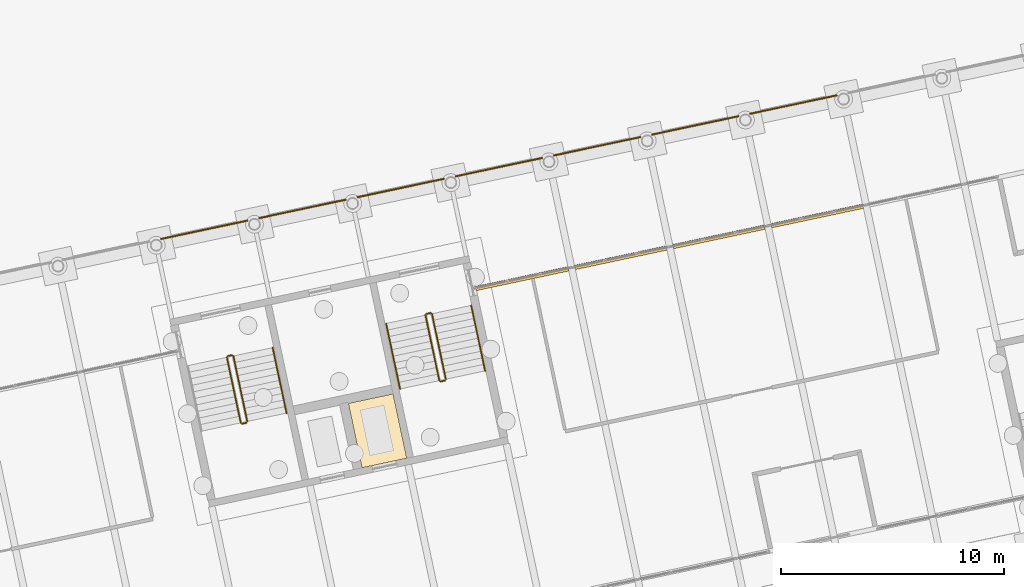
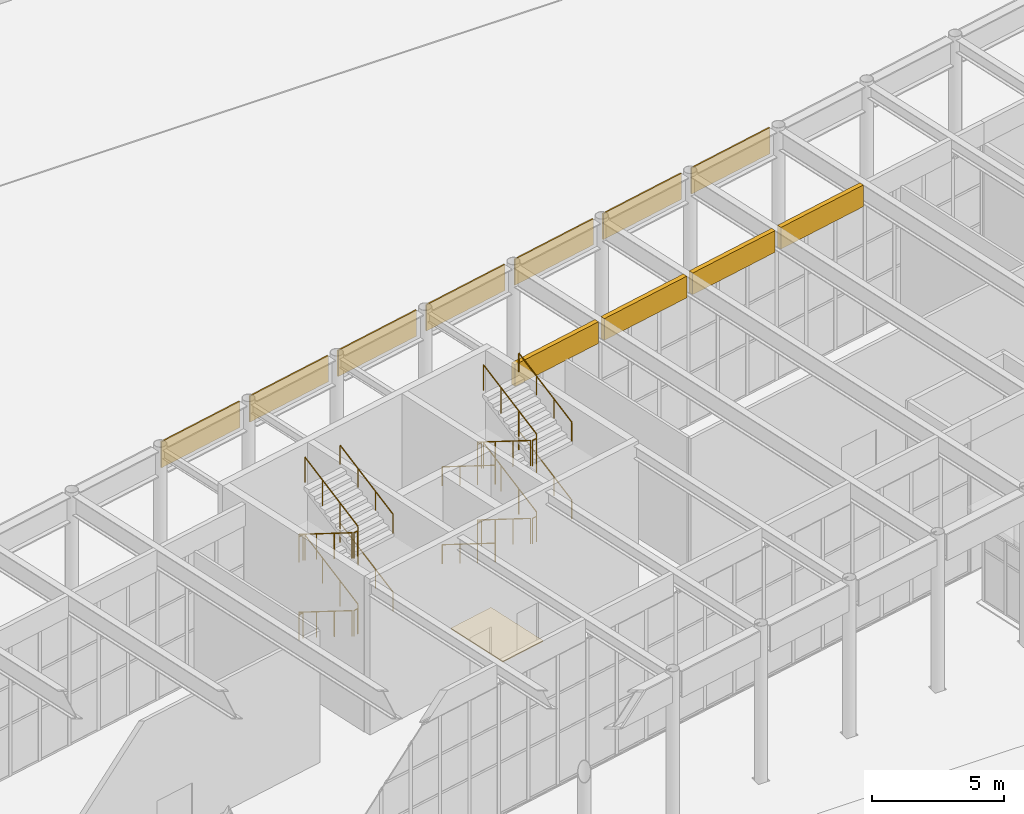
# One storey, part 206 of 239: 22 railings, 12 coverings.
"""IFC4 building model written with IfcOpenShell, lengths in metres."""

from ifc_helpers import new_model, si_unit, direction, frame, origin, origin_2d, place, context, subcontext, project, spatial, polyline, rectangle, circle, outline, extrude, material, layer, layer_set, type_object, element, save


model = new_model("IFC4")

# Units and contexts
model_context = context("Model", 3, precision=1e-05, world=origin(), true_north=direction((0.0, 1.0)))
body_context = subcontext(model_context, "Body", "Model", "MODEL_VIEW")
ifc_project = project(units=[si_unit("LENGTHUNIT", "METRE"), si_unit("AREAUNIT", "SQUARE_METRE"), si_unit("VOLUMEUNIT", "CUBIC_METRE"), si_unit("PLANEANGLEUNIT", "RADIAN"), si_unit("MASSUNIT", "GRAM", prefix="KILO")], contexts=[model_context])

# Site, building, storey
site_placement = place(None, origin())
site = spatial("IfcSite", under=ifc_project, at=site_placement, CompositionType="ELEMENT")
building_placement = place(site_placement, origin())
building = spatial("IfcBuilding", under=site, at=building_placement, Name="Okhra Congress Centre", CompositionType="ELEMENT")
storey_placement = place(building_placement, origin())
storey = spatial("IfcBuildingStorey", under=building, at=storey_placement, Name="L00", CompositionType="ELEMENT", Elevation=0.0)

# Coverings
ifc_material_1 = material(Name="Dark bronze anodised aluminium fascia panel", Category="aluminium")
ifc_layer_1 = layer(ifc_material_1, 0.06005859375)
ifc_layer_set_1 = layer_set([ifc_layer_1], Name="Dark bronze fascia strip 60")
covering_type_1 = type_object("IfcCoveringType", Name="Dark bronze fascia strip 60", PredefinedType="CLADDING", material=ifc_layer_set_1)
for number, where, z_axis, x_axis, name in (
    (1, (97.7890625, 59.39794921875, 5.85009765625), (0.0, 0.0, 1.0), (0.978147600734, 0.207911690818, 0.0), "Girder fascia strip"),
    (2, (102.190673828125, 60.33349609375, 5.85009765625), (0.0, 0.0, 1.0), (0.978147600734, 0.207911690818, 0.0), "Girder fascia strip"),
    (3, (106.592529296875, 61.269287109375, 5.85009765625), (0.0, 0.0, 1.0), (0.978147600734, 0.207911690818, 0.0), "Girder fascia strip"),
    (4, (110.994140625, 62.204833984375, 5.85009765625), (0.0, 0.0, 1.0), (0.978147600734, 0.207911690818, 0.0), "Girder fascia strip"),
    (5, (115.395751953125, 63.140380859375, 5.85009765625), (0.0, 0.0, 1.0), (0.978147600734, 0.207911690818, 0.0), "Girder fascia strip"),
    (6, (119.79736328125, 64.075927734375, 5.85009765625), (0.0, 0.0, 1.0), (0.978147600734, 0.207911690818, 0.0), "Girder fascia strip"),
    (7, (124.198974609375, 65.011474609375, 5.85009765625), (0.0, 0.0, 1.0), (0.978147600734, 0.207911690818, 0.0), "Girder fascia strip"),
):
    element("IfcCovering", number, at=place(storey_placement, frame(where, z_axis=z_axis, x_axis=x_axis)), inside=storey, type_object=covering_type_1, Name=name, PredefinedType="CLADDING", context=body_context, shape_type="SweptSolid", body=[
        extrude(rectangle(XDim=3.991943359375, YDim=0.06005859375, at=origin_2d()), origin(), (0.0, 0.0, 1.0), 1.199951171875),
    ])
ifc_material_2 = material(Name="Insulated metal sandwich panel (mineral wool core)")
ifc_layer_2 = layer(ifc_material_2, 0.199951171875)
ifc_layer_set_2 = layer_set([ifc_layer_2], Name="Insulated fascia cladding panel 200")
covering_type_2 = type_object("IfcCoveringType", Name="Insulated fascia cladding panel 200", PredefinedType="CLADDING", material=ifc_layer_set_2)
covering_1_placement = place(storey_placement, frame((112.031005859375, 57.2060546875, 6.050048828125), z_axis=(0.0, 0.0, 1.0), x_axis=(0.978147600734, 0.207911690818, 0.0)))
element("IfcCovering", 8, at=covering_1_placement, inside=storey, type_object=covering_type_2, Name="Fascia over glazing", PredefinedType="CLADDING", context=body_context, shape_type="SweptSolid", body=[
    extrude(rectangle(XDim=4.25, YDim=0.199951171875, at=origin_2d()), origin(), (0.0, 0.0, 1.0), 1.0),
])
for number, where, z_axis, x_axis, name in (
    (9, (116.45703125, 58.14697265625, 6.050048828125), (0.0, 0.0, 1.0), (0.978147600734, 0.207911690818, 0.0), "Fascia over glazing"),
    (10, (120.85888671875, 59.08251953125, 6.050048828125), (0.0, 0.0, 1.0), (0.978147600734, 0.207911690818, 0.0), "Fascia over glazing"),
    (11, (125.260498046875, 60.01806640625, 6.050048828125), (0.0, 0.0, 1.0), (0.978147600734, 0.207911690818, 0.0), "Fascia over glazing"),
):
    element("IfcCovering", number, at=place(storey_placement, frame(where, z_axis=z_axis, x_axis=x_axis)), inside=storey, type_object=covering_type_2, Name=name, PredefinedType="CLADDING", context=body_context, shape_type="SweptSolid", body=[
        extrude(rectangle(XDim=4.199951171875, YDim=0.199951171875, at=origin_2d()), origin(), (0.0, 0.0, 1.0), 1.0),
    ])
ifc_material_3 = material(Name="Compacted engineered fill with topsoil and grass or paving bed")
ifc_layer_3 = layer(ifc_material_3, 0.050048828125)
ifc_layer_set_3 = layer_set([ifc_layer_3], Name="Site ground surface (engineered fill and landscape)")
covering_type_3 = type_object("IfcCoveringType", Name="Site ground surface (engineered fill and landscape)", PredefinedType="FLOORING", material=ifc_layer_set_3)
covering_2_placement = place(storey_placement, frame((0.0, 0.0, -0.10009765625)))
element("IfcCovering", 12, at=covering_2_placement, inside=storey, type_object=covering_type_3, Name="Site ground surface (engineered fill and landscape) 10", PredefinedType="FLOORING", context=body_context, shape_type="SweptSolid", body=[
    extrude(outline(polyline([(104.862060546875, 48.73095703125), (106.8662109375, 49.156982421875), (106.2529296875, 52.04150390625), (104.2490234375, 51.615478515625), (104.862060546875, 48.73095703125)])), origin(), (0.0, 0.0, 1.0), 0.050048828125),
])

# Railings
ifc_material_4 = material(Name="Painted steel tube handrail on wall brackets", Category="steel")
railing_type_1 = type_object("IfcRailingType", Name="Steel handrail 900", PredefinedType="HANDRAIL", material=ifc_material_4)
railing_1_placement = place(storey_placement, frame((101.478271484375, 51.180419921875, 1.963623046875)))
element("IfcRailing", 13, at=railing_1_placement, inside=storey, type_object=railing_type_1, Name="L00 BS2A stair handrail 2", PredefinedType="HANDRAIL", context=body_context, shape_type="SweptSolid", body=[
    extrude(circle(Radius=0.02392578125, at=origin_2d()), frame((0.0, 0.0, 0.8759765625), z_axis=(-0.182539774255, 0.858687102456, 0.478890061383), x_axis=(-0.978142921837, -0.207933702079, 0.0)), (0.0, 0.0, 1.0), 3.417236328125),
    extrude(circle(Radius=0.02099609375, at=origin_2d()), origin(), (0.0, 0.0, 1.0), 0.851806640625),
    extrude(circle(Radius=0.02099609375, at=origin_2d()), frame((-0.2080078125, 0.97802734375, 0.54541015625)), (0.0, 0.0, 1.0), 0.851806640625),
    extrude(circle(Radius=0.02099609375, at=origin_2d()), frame((-0.415771484375, 1.956298828125, 1.091064453125)), (0.0, 0.0, 1.0), 0.851806640625),
    extrude(circle(Radius=0.02099609375, at=origin_2d()), frame((-0.623779296875, 2.934326171875, 1.636474609375)), (0.0, 0.0, 1.0), 0.851806640625),
])
railing_2_placement = place(storey_placement, frame((101.478271484375, 51.180419921875, 5.563720703125)))
element("IfcRailing", 14, at=railing_2_placement, inside=storey, type_object=railing_type_1, Name="L00 BS2A stair handrail 4", PredefinedType="HANDRAIL", context=body_context, shape_type="SweptSolid", body=[
    extrude(circle(Radius=0.02392578125, at=origin_2d()), frame((0.0, 0.0, 0.8759765625), z_axis=(-0.182546019505, 0.858716480796, 0.478834999109), x_axis=(-0.978142921837, -0.207933702079, 0.0)), (0.0, 0.0, 1.0), 3.4169921875),
    extrude(circle(Radius=0.02099609375, at=origin_2d()), origin(), (0.0, 0.0, 1.0), 0.851806640625),
    extrude(circle(Radius=0.02099609375, at=origin_2d()), frame((-0.2080078125, 0.97802734375, 0.54541015625)), (0.0, 0.0, 1.0), 0.851806640625),
    extrude(circle(Radius=0.02099609375, at=origin_2d()), frame((-0.415771484375, 1.956298828125, 1.0908203125)), (0.0, 0.0, 1.0), 0.851806640625),
    extrude(circle(Radius=0.02099609375, at=origin_2d()), frame((-0.623779296875, 2.934326171875, 1.63623046875)), (0.0, 0.0, 1.0), 0.851806640625),
])
railing_3_placement = place(storey_placement, frame((105.94091796875, 55.196044921875, 0.16357421875)))
element("IfcRailing", 15, at=railing_3_placement, inside=storey, type_object=railing_type_1, Name="L00 BS2B stair handrail 1", PredefinedType="HANDRAIL", context=body_context, shape_type="SweptSolid", body=[
    extrude(circle(Radius=0.02392578125, at=origin_2d()), frame((0.0, 0.0, 0.8759765625), z_axis=(0.182528576341, -0.858705865993, 0.47886068384), x_axis=(0.978146440129, 0.207917150959, 0.0)), (0.0, 0.0, 1.0), 3.41748046875),
    extrude(circle(Radius=0.02099609375, at=origin_2d()), origin(), (0.0, 0.0, 1.0), 0.851806640625),
    extrude(circle(Radius=0.02099609375, at=origin_2d()), frame((0.2080078125, -0.978271484375, 0.54541015625)), (0.0, 0.0, 1.0), 0.851806640625),
    extrude(circle(Radius=0.02099609375, at=origin_2d()), frame((0.415771484375, -1.956298828125, 1.091064453125)), (0.0, 0.0, 1.0), 0.851806640625),
    extrude(circle(Radius=0.02099609375, at=origin_2d()), frame((0.623779296875, -2.9345703125, 1.636474609375)), (0.0, 0.0, 1.0), 0.851806640625),
])
railing_4_placement = place(storey_placement, frame((110.37939453125, 53.072509765625, 1.963623046875)))
element("IfcRailing", 16, at=railing_4_placement, inside=storey, type_object=railing_type_1, Name="L00 BS2B stair handrail 2", PredefinedType="HANDRAIL", context=body_context, shape_type="SweptSolid", body=[
    extrude(circle(Radius=0.02392578125, at=origin_2d()), frame((0.0, 0.0, 0.8759765625), z_axis=(-0.182539774255, 0.858687102456, 0.478890061383), x_axis=(-0.978142921837, -0.207933702079, 0.0)), (0.0, 0.0, 1.0), 3.417236328125),
    extrude(circle(Radius=0.02099609375, at=origin_2d()), origin(), (0.0, 0.0, 1.0), 0.851806640625),
    extrude(circle(Radius=0.02099609375, at=origin_2d()), frame((-0.2080078125, 0.97802734375, 0.54541015625)), (0.0, 0.0, 1.0), 0.851806640625),
    extrude(circle(Radius=0.02099609375, at=origin_2d()), frame((-0.415771484375, 1.956298828125, 1.091064453125)), (0.0, 0.0, 1.0), 0.851806640625),
    extrude(circle(Radius=0.02099609375, at=origin_2d()), frame((-0.623779296875, 2.934326171875, 1.636474609375)), (0.0, 0.0, 1.0), 0.851806640625),
])
railing_5_placement = place(storey_placement, frame((105.94091796875, 55.196044921875, 3.763671875)))
element("IfcRailing", 17, at=railing_5_placement, inside=storey, type_object=railing_type_1, Name="L00 BS2B stair handrail 3", PredefinedType="HANDRAIL", context=body_context, shape_type="SweptSolid", body=[
    extrude(circle(Radius=0.02392578125, at=origin_2d()), frame((0.0, 0.0, 0.8759765625), z_axis=(0.182534820441, -0.858735241371, 0.478805622934), x_axis=(0.978146440129, 0.207917150959, 0.0)), (0.0, 0.0, 1.0), 3.417236328125),
    extrude(circle(Radius=0.02099609375, at=origin_2d()), origin(), (0.0, 0.0, 1.0), 0.851806640625),
    extrude(circle(Radius=0.02099609375, at=origin_2d()), frame((0.2080078125, -0.978271484375, 0.54541015625)), (0.0, 0.0, 1.0), 0.851806640625),
    extrude(circle(Radius=0.02099609375, at=origin_2d()), frame((0.415771484375, -1.956298828125, 1.0908203125)), (0.0, 0.0, 1.0), 0.851806640625),
    extrude(circle(Radius=0.02099609375, at=origin_2d()), frame((0.623779296875, -2.9345703125, 1.63623046875)), (0.0, 0.0, 1.0), 0.851806640625),
])
railing_6_placement = place(storey_placement, frame((110.37939453125, 53.072509765625, 5.563720703125)))
element("IfcRailing", 18, at=railing_6_placement, inside=storey, type_object=railing_type_1, Name="L00 BS2B stair handrail 4", PredefinedType="HANDRAIL", context=body_context, shape_type="SweptSolid", body=[
    extrude(circle(Radius=0.02392578125, at=origin_2d()), frame((0.0, 0.0, 0.8759765625), z_axis=(-0.182546019505, 0.858716480796, 0.478834999109), x_axis=(-0.978142921837, -0.207933702079, 0.0)), (0.0, 0.0, 1.0), 3.4169921875),
    extrude(circle(Radius=0.02099609375, at=origin_2d()), origin(), (0.0, 0.0, 1.0), 0.851806640625),
    extrude(circle(Radius=0.02099609375, at=origin_2d()), frame((-0.2080078125, 0.97802734375, 0.54541015625)), (0.0, 0.0, 1.0), 0.851806640625),
    extrude(circle(Radius=0.02099609375, at=origin_2d()), frame((-0.415771484375, 1.956298828125, 1.0908203125)), (0.0, 0.0, 1.0), 0.851806640625),
    extrude(circle(Radius=0.02099609375, at=origin_2d()), frame((-0.623779296875, 2.934326171875, 1.63623046875)), (0.0, 0.0, 1.0), 0.851806640625),
])
ifc_material_5 = material(Name="Painted steel tube guard with vertical steel balusters", Category="steel")
railing_type_2 = type_object("IfcRailingType", Name="Steel stair guard 1200", PredefinedType="GUARDRAIL", material=ifc_material_5)
railing_7_placement = place(storey_placement, frame((98.80029296875, 53.67822265625, 0.16357421875)))
element("IfcRailing", 19, at=railing_7_placement, inside=storey, type_object=railing_type_2, Name="L00 BS2A stair guard 1", PredefinedType="GUARDRAIL", context=body_context, shape_type="SweptSolid", body=[
    extrude(circle(Radius=0.02392578125, at=origin_2d()), frame((0.0, 0.0, 1.17578125), z_axis=(0.182539774255, -0.858687102456, 0.478890061383), x_axis=(0.978142921837, 0.207933702079, 0.0)), (0.0, 0.0, 1.0), 3.417236328125),
    extrude(circle(Radius=0.02099609375, at=origin_2d()), origin(), (0.0, 0.0, 1.0), 1.15185546875),
    extrude(circle(Radius=0.02099609375, at=origin_2d()), frame((0.2080078125, -0.97802734375, 0.54541015625)), (0.0, 0.0, 1.0), 1.15185546875),
    extrude(circle(Radius=0.02099609375, at=origin_2d()), frame((0.415771484375, -1.956298828125, 1.091064453125)), (0.0, 0.0, 1.0), 1.15185546875),
    extrude(circle(Radius=0.02099609375, at=origin_2d()), frame((0.623779296875, -2.934326171875, 1.636474609375)), (0.0, 0.0, 1.0), 1.15185546875),
])
railing_8_placement = place(storey_placement, frame((99.4833984375, 50.705322265625, 1.800048828125)))
element("IfcRailing", 20, at=railing_8_placement, inside=storey, type_object=railing_type_2, Name="L00 BS2A stair guard 2", PredefinedType="GUARDRAIL", context=body_context, shape_type="SweptSolid", body=[
    extrude(circle(Radius=0.02392578125, at=origin_2d()), frame((0.0, 0.0, 1.17578125), z_axis=(0.978211583308, 0.207610448392, 0.0), x_axis=(-0.207610448392, 0.978211583308, 0.0)), (0.0, 0.0, 1.0), 0.199951171875),
    extrude(circle(Radius=0.02099609375, at=origin_2d()), origin(), (0.0, 0.0, 1.0), 1.15185546875),
    extrude(circle(Radius=0.02099609375, at=origin_2d()), frame((0.195556640625, 0.04150390625, 0.0)), (0.0, 0.0, 1.0), 1.15185546875),
])
railing_9_placement = place(storey_placement, frame((99.717529296875, 50.80615234375, 1.963623046875)))
element("IfcRailing", 21, at=railing_9_placement, inside=storey, type_object=railing_type_2, Name="L00 BS2A stair guard 3", PredefinedType="GUARDRAIL", context=body_context, shape_type="SweptSolid", body=[
    extrude(circle(Radius=0.02392578125, at=origin_2d()), frame((0.0, 0.0, 1.17578125), z_axis=(-0.182528576341, 0.858705865993, 0.47886068384), x_axis=(-0.978146440129, -0.207917150959, 0.0)), (0.0, 0.0, 1.0), 3.41748046875),
    extrude(circle(Radius=0.02099609375, at=origin_2d()), origin(), (0.0, 0.0, 1.0), 1.15185546875),
    extrude(circle(Radius=0.02099609375, at=origin_2d()), frame((-0.2080078125, 0.978271484375, 0.54541015625)), (0.0, 0.0, 1.0), 1.15185546875),
    extrude(circle(Radius=0.02099609375, at=origin_2d()), frame((-0.415771484375, 1.956298828125, 1.091064453125)), (0.0, 0.0, 1.0), 1.15185546875),
    extrude(circle(Radius=0.02099609375, at=origin_2d()), frame((-0.623779296875, 2.9345703125, 1.636474609375)), (0.0, 0.0, 1.0), 1.15185546875),
])
railing_10_placement = place(storey_placement, frame((98.8388671875, 53.737548828125, 3.60009765625)))
element("IfcRailing", 22, at=railing_10_placement, inside=storey, type_object=railing_type_2, Name="L00 BS2A stair guard 4", PredefinedType="GUARDRAIL", context=body_context, shape_type="SweptSolid", body=[
    extrude(circle(Radius=0.02392578125, at=origin_2d()), frame((0.0, 0.0, 1.17578125), z_axis=(0.978211583308, 0.207610448392, 0.0), x_axis=(-0.207610448392, 0.978211583308, 0.0)), (0.0, 0.0, 1.0), 0.199951171875),
    extrude(circle(Radius=0.02099609375, at=origin_2d()), origin(), (0.0, 0.0, 1.0), 1.15185546875),
    extrude(circle(Radius=0.02099609375, at=origin_2d()), frame((0.195556640625, 0.04150390625, 0.0)), (0.0, 0.0, 1.0), 1.15185546875),
])
railing_11_placement = place(storey_placement, frame((98.80029296875, 53.67822265625, 3.763671875)))
element("IfcRailing", 23, at=railing_11_placement, inside=storey, type_object=railing_type_2, Name="L00 BS2A stair guard 5", PredefinedType="GUARDRAIL", context=body_context, shape_type="SweptSolid", body=[
    extrude(circle(Radius=0.02392578125, at=origin_2d()), frame((0.0, 0.0, 1.17578125), z_axis=(0.182546019505, -0.858716480796, 0.478834999109), x_axis=(0.978142921837, 0.207933702079, 0.0)), (0.0, 0.0, 1.0), 3.4169921875),
    extrude(circle(Radius=0.02099609375, at=origin_2d()), origin(), (0.0, 0.0, 1.0), 1.15185546875),
    extrude(circle(Radius=0.02099609375, at=origin_2d()), frame((0.2080078125, -0.97802734375, 0.54541015625)), (0.0, 0.0, 1.0), 1.15185546875),
    extrude(circle(Radius=0.02099609375, at=origin_2d()), frame((0.415771484375, -1.956298828125, 1.0908203125)), (0.0, 0.0, 1.0), 1.15185546875),
    extrude(circle(Radius=0.02099609375, at=origin_2d()), frame((0.623779296875, -2.934326171875, 1.63623046875)), (0.0, 0.0, 1.0), 1.15185546875),
])
railing_12_placement = place(storey_placement, frame((99.4833984375, 50.705322265625, 5.39990234375)))
element("IfcRailing", 24, at=railing_12_placement, inside=storey, type_object=railing_type_2, Name="L00 BS2A stair guard 6", PredefinedType="GUARDRAIL", context=body_context, shape_type="SweptSolid", body=[
    extrude(circle(Radius=0.02392578125, at=origin_2d()), frame((0.0, 0.0, 1.17578125), z_axis=(0.978211583308, 0.207610448392, 0.0), x_axis=(-0.207610448392, 0.978211583308, 0.0)), (0.0, 0.0, 1.0), 0.199951171875),
    extrude(circle(Radius=0.02099609375, at=origin_2d()), origin(), (0.0, 0.0, 1.0), 1.15185546875),
    extrude(circle(Radius=0.02099609375, at=origin_2d()), frame((0.195556640625, 0.04150390625, 0.0)), (0.0, 0.0, 1.0), 1.15185546875),
])
railing_13_placement = place(storey_placement, frame((99.717529296875, 50.80615234375, 5.563720703125)))
element("IfcRailing", 25, at=railing_13_placement, inside=storey, type_object=railing_type_2, Name="L00 BS2A stair guard 7", PredefinedType="GUARDRAIL", context=body_context, shape_type="SweptSolid", body=[
    extrude(circle(Radius=0.02392578125, at=origin_2d()), frame((0.0, 0.0, 1.17578125), z_axis=(-0.182534820441, 0.858735241371, 0.478805622934), x_axis=(-0.978146440129, -0.207917150959, 0.0)), (0.0, 0.0, 1.0), 3.417236328125),
    extrude(circle(Radius=0.02099609375, at=origin_2d()), origin(), (0.0, 0.0, 1.0), 1.15185546875),
    extrude(circle(Radius=0.02099609375, at=origin_2d()), frame((-0.2080078125, 0.978271484375, 0.54541015625)), (0.0, 0.0, 1.0), 1.15185546875),
    extrude(circle(Radius=0.02099609375, at=origin_2d()), frame((-0.415771484375, 1.956298828125, 1.0908203125)), (0.0, 0.0, 1.0), 1.15185546875),
    extrude(circle(Radius=0.02099609375, at=origin_2d()), frame((-0.623779296875, 2.9345703125, 1.63623046875)), (0.0, 0.0, 1.0), 1.15185546875),
])
railing_14_placement = place(storey_placement, frame((98.8388671875, 53.737548828125, 0.0)))
element("IfcRailing", 26, at=railing_14_placement, inside=storey, type_object=railing_type_2, Name="L00 BS2A stair guard 8", PredefinedType="GUARDRAIL", context=body_context, shape_type="SweptSolid", body=[
    extrude(circle(Radius=0.02392578125, at=origin_2d()), frame((0.0, 0.0, 1.17578125), z_axis=(0.978211583308, 0.207610448392, 0.0), x_axis=(-0.207610448392, 0.978211583308, 0.0)), (0.0, 0.0, 1.0), 0.199951171875),
    extrude(circle(Radius=0.02099609375, at=origin_2d()), origin(), (0.0, 0.0, 1.0), 1.15185546875),
    extrude(circle(Radius=0.02099609375, at=origin_2d()), frame((0.195556640625, 0.04150390625, 0.0)), (0.0, 0.0, 1.0), 1.15185546875),
])
railing_15_placement = place(storey_placement, frame((107.70166015625, 55.5703125, 0.16357421875)))
element("IfcRailing", 27, at=railing_15_placement, inside=storey, type_object=railing_type_2, Name="L00 BS2B stair guard 1", PredefinedType="GUARDRAIL", context=body_context, shape_type="SweptSolid", body=[
    extrude(circle(Radius=0.02392578125, at=origin_2d()), frame((0.0, 0.0, 1.17578125), z_axis=(0.18245951537, -0.858717061371, 0.478866926986), x_axis=(0.978162987143, 0.20783929028, 0.0)), (0.0, 0.0, 1.0), 3.41748046875),
    extrude(circle(Radius=0.02099609375, at=origin_2d()), origin(), (0.0, 0.0, 1.0), 1.15185546875),
    extrude(circle(Radius=0.02099609375, at=origin_2d()), frame((0.207763671875, -0.978271484375, 0.54541015625)), (0.0, 0.0, 1.0), 1.15185546875),
    extrude(circle(Radius=0.02099609375, at=origin_2d()), frame((0.415771484375, -1.956298828125, 1.091064453125)), (0.0, 0.0, 1.0), 1.15185546875),
    extrude(circle(Radius=0.02099609375, at=origin_2d()), frame((0.62353515625, -2.9345703125, 1.636474609375)), (0.0, 0.0, 1.0), 1.15185546875),
])
railing_16_placement = place(storey_placement, frame((108.384521484375, 52.597412109375, 1.800048828125)))
element("IfcRailing", 28, at=railing_16_placement, inside=storey, type_object=railing_type_2, Name="L00 BS2B stair guard 2", PredefinedType="GUARDRAIL", context=body_context, shape_type="SweptSolid", body=[
    extrude(circle(Radius=0.02392578125, at=origin_2d()), frame((0.0, 0.0, 1.17578125), z_axis=(0.97826412705, 0.207362720198, 0.0), x_axis=(-0.207362720198, 0.97826412705, 0.0)), (0.0, 0.0, 1.0), 0.2001953125),
    extrude(circle(Radius=0.02099609375, at=origin_2d()), origin(), (0.0, 0.0, 1.0), 1.15185546875),
    extrude(circle(Radius=0.02099609375, at=origin_2d()), frame((0.19580078125, 0.04150390625, 0.0)), (0.0, 0.0, 1.0), 1.15185546875),
])
railing_17_placement = place(storey_placement, frame((108.61865234375, 52.6982421875, 1.963623046875)))
element("IfcRailing", 29, at=railing_17_placement, inside=storey, type_object=railing_type_2, Name="L00 BS2B stair guard 3", PredefinedType="GUARDRAIL", context=body_context, shape_type="SweptSolid", body=[
    extrude(circle(Radius=0.02392578125, at=origin_2d()), frame((0.0, 0.0, 1.17578125), z_axis=(-0.182539774255, 0.858687102456, 0.478890061383), x_axis=(-0.978142921837, -0.207933702079, 0.0)), (0.0, 0.0, 1.0), 3.417236328125),
    extrude(circle(Radius=0.02099609375, at=origin_2d()), origin(), (0.0, 0.0, 1.0), 1.15185546875),
    extrude(circle(Radius=0.02099609375, at=origin_2d()), frame((-0.2080078125, 0.97802734375, 0.54541015625)), (0.0, 0.0, 1.0), 1.15185546875),
    extrude(circle(Radius=0.02099609375, at=origin_2d()), frame((-0.415771484375, 1.956298828125, 1.091064453125)), (0.0, 0.0, 1.0), 1.15185546875),
    extrude(circle(Radius=0.02099609375, at=origin_2d()), frame((-0.623779296875, 2.934326171875, 1.636474609375)), (0.0, 0.0, 1.0), 1.15185546875),
])
railing_18_placement = place(storey_placement, frame((107.739990234375, 55.629638671875, 3.60009765625)))
element("IfcRailing", 30, at=railing_18_placement, inside=storey, type_object=railing_type_2, Name="L00 BS2B stair guard 4", PredefinedType="GUARDRAIL", context=body_context, shape_type="SweptSolid", body=[
    extrude(circle(Radius=0.02392578125, at=origin_2d()), frame((0.0, 0.0, 1.17578125), z_axis=(0.97826412705, 0.207362720198, 0.0), x_axis=(-0.207362720198, 0.97826412705, 0.0)), (0.0, 0.0, 1.0), 0.2001953125),
    extrude(circle(Radius=0.02099609375, at=origin_2d()), origin(), (0.0, 0.0, 1.0), 1.15185546875),
    extrude(circle(Radius=0.02099609375, at=origin_2d()), frame((0.19580078125, 0.04150390625, 0.0)), (0.0, 0.0, 1.0), 1.15185546875),
])
railing_19_placement = place(storey_placement, frame((107.70166015625, 55.5703125, 3.763671875)))
element("IfcRailing", 31, at=railing_19_placement, inside=storey, type_object=railing_type_2, Name="L00 BS2B stair guard 5", PredefinedType="GUARDRAIL", context=body_context, shape_type="SweptSolid", body=[
    extrude(circle(Radius=0.02392578125, at=origin_2d()), frame((0.0, 0.0, 1.17578125), z_axis=(0.182465757271, -0.858746437898, 0.47881186579), x_axis=(0.978162987143, 0.20783929028, 0.0)), (0.0, 0.0, 1.0), 3.417236328125),
    extrude(circle(Radius=0.02099609375, at=origin_2d()), origin(), (0.0, 0.0, 1.0), 1.15185546875),
    extrude(circle(Radius=0.02099609375, at=origin_2d()), frame((0.207763671875, -0.978271484375, 0.54541015625)), (0.0, 0.0, 1.0), 1.15185546875),
    extrude(circle(Radius=0.02099609375, at=origin_2d()), frame((0.415771484375, -1.956298828125, 1.0908203125)), (0.0, 0.0, 1.0), 1.15185546875),
    extrude(circle(Radius=0.02099609375, at=origin_2d()), frame((0.62353515625, -2.9345703125, 1.63623046875)), (0.0, 0.0, 1.0), 1.15185546875),
])
railing_20_placement = place(storey_placement, frame((108.384521484375, 52.597412109375, 5.39990234375)))
element("IfcRailing", 32, at=railing_20_placement, inside=storey, type_object=railing_type_2, Name="L00 BS2B stair guard 6", PredefinedType="GUARDRAIL", context=body_context, shape_type="SweptSolid", body=[
    extrude(circle(Radius=0.02392578125, at=origin_2d()), frame((0.0, 0.0, 1.17578125), z_axis=(0.97826412705, 0.207362720198, 0.0), x_axis=(-0.207362720198, 0.97826412705, 0.0)), (0.0, 0.0, 1.0), 0.2001953125),
    extrude(circle(Radius=0.02099609375, at=origin_2d()), origin(), (0.0, 0.0, 1.0), 1.15185546875),
    extrude(circle(Radius=0.02099609375, at=origin_2d()), frame((0.19580078125, 0.04150390625, 0.0)), (0.0, 0.0, 1.0), 1.15185546875),
])
railing_21_placement = place(storey_placement, frame((108.61865234375, 52.6982421875, 5.563720703125)))
element("IfcRailing", 33, at=railing_21_placement, inside=storey, type_object=railing_type_2, Name="L00 BS2B stair guard 7", PredefinedType="GUARDRAIL", context=body_context, shape_type="SweptSolid", body=[
    extrude(circle(Radius=0.02392578125, at=origin_2d()), frame((0.0, 0.0, 1.17578125), z_axis=(-0.182546019505, 0.858716480796, 0.478834999109), x_axis=(-0.978142921837, -0.207933702079, 0.0)), (0.0, 0.0, 1.0), 3.4169921875),
    extrude(circle(Radius=0.02099609375, at=origin_2d()), origin(), (0.0, 0.0, 1.0), 1.15185546875),
    extrude(circle(Radius=0.02099609375, at=origin_2d()), frame((-0.2080078125, 0.97802734375, 0.54541015625)), (0.0, 0.0, 1.0), 1.15185546875),
    extrude(circle(Radius=0.02099609375, at=origin_2d()), frame((-0.415771484375, 1.956298828125, 1.0908203125)), (0.0, 0.0, 1.0), 1.15185546875),
    extrude(circle(Radius=0.02099609375, at=origin_2d()), frame((-0.623779296875, 2.934326171875, 1.63623046875)), (0.0, 0.0, 1.0), 1.15185546875),
])
railing_22_placement = place(storey_placement, frame((107.739990234375, 55.629638671875, 0.0)))
element("IfcRailing", 34, at=railing_22_placement, inside=storey, type_object=railing_type_2, Name="L00 BS2B stair guard 8", PredefinedType="GUARDRAIL", context=body_context, shape_type="SweptSolid", body=[
    extrude(circle(Radius=0.02392578125, at=origin_2d()), frame((0.0, 0.0, 1.17578125), z_axis=(0.97826412705, 0.207362720198, 0.0), x_axis=(-0.207362720198, 0.97826412705, 0.0)), (0.0, 0.0, 1.0), 0.2001953125),
    extrude(circle(Radius=0.02099609375, at=origin_2d()), origin(), (0.0, 0.0, 1.0), 1.15185546875),
    extrude(circle(Radius=0.02099609375, at=origin_2d()), frame((0.19580078125, 0.04150390625, 0.0)), (0.0, 0.0, 1.0), 1.15185546875),
])

save(model, "model.ifc")
